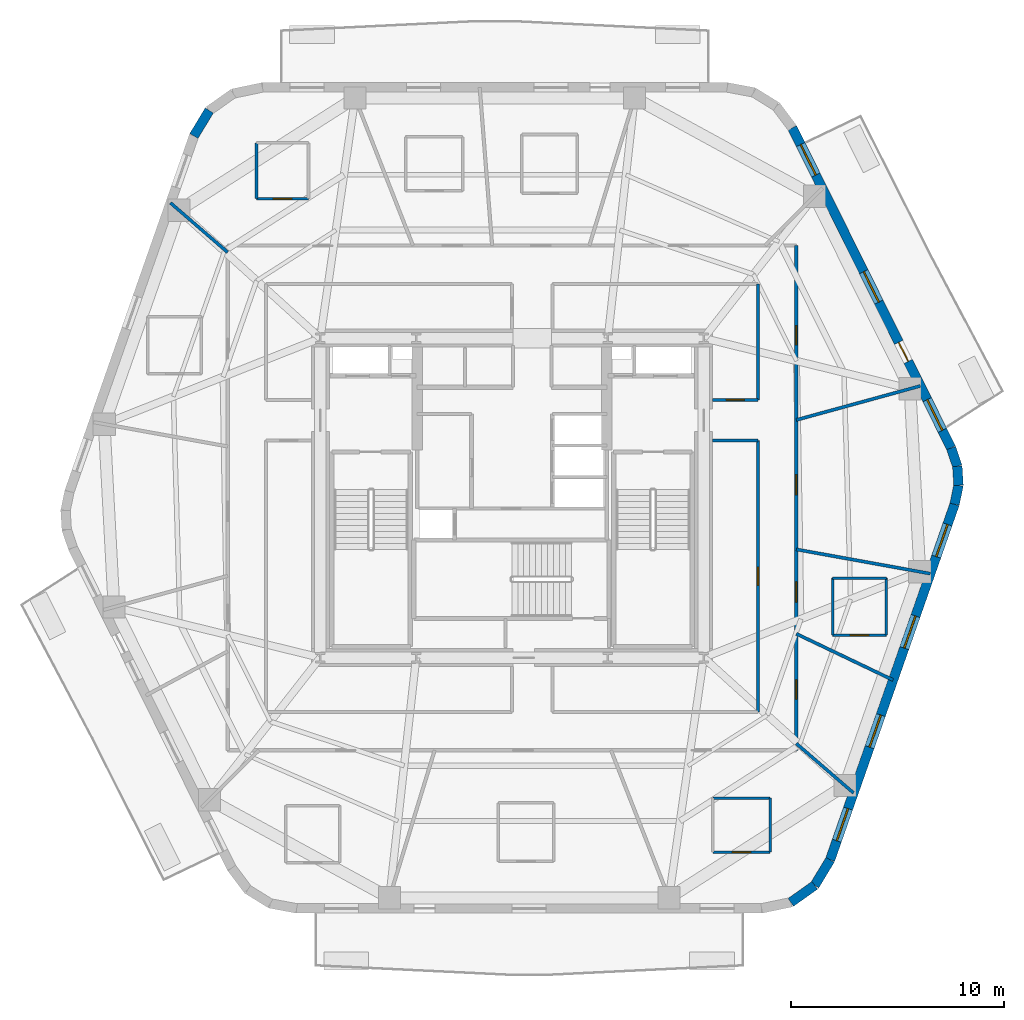
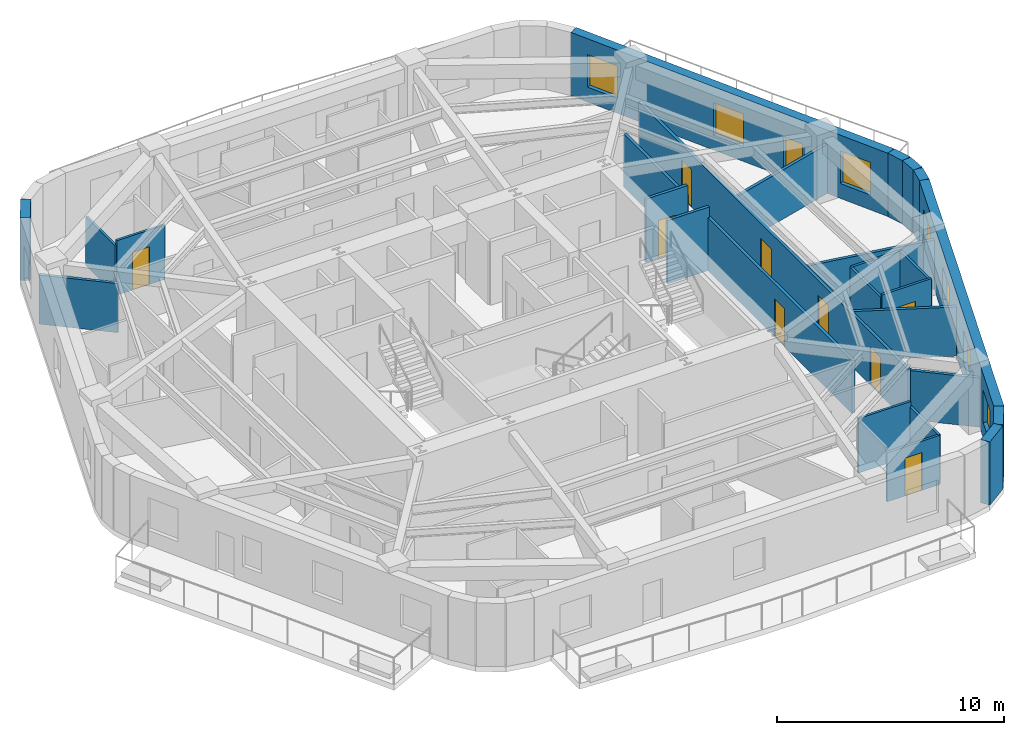
# One storey, part 5 of 10: 27 walls, 10 doors, 7 windows, 17 openings.
"""IFC4 building model written with IfcOpenShell, lengths in metres."""

from ifc_helpers import new_model, si_unit, direction, frame, frame_2d, origin, place, context, subcontext, project, spatial, rectangle, extrude, material, layer, layer_set, type_object, element, fill, save


model = new_model("IFC4")

# Units and contexts
model_context = context("Model", 3, precision=1e-05, world=origin(), true_north=direction((0.0, 1.0)))
body_context = subcontext(model_context, "Body", "Model", "MODEL_VIEW")
ifc_project = project(units=[si_unit("LENGTHUNIT", "METRE"), si_unit("AREAUNIT", "SQUARE_METRE"), si_unit("VOLUMEUNIT", "CUBIC_METRE"), si_unit("PLANEANGLEUNIT", "RADIAN"), si_unit("MASSUNIT", "GRAM", prefix="KILO")], contexts=[model_context])

# Site, building, storey
site_placement = place(None, origin())
site = spatial("IfcSite", under=ifc_project, at=site_placement, CompositionType="ELEMENT")
building_placement = place(site_placement, origin())
building = spatial("IfcBuilding", under=site, at=building_placement, Name="Kilnhurst Terrace Hotel", CompositionType="ELEMENT")
storey_placement = place(building_placement, frame((0.0, 0.0, 155.39990234375)))
storey = spatial("IfcBuildingStorey", under=building, at=storey_placement, Name="L38", CompositionType="ELEMENT", Elevation=155.39990234375)

# Walls
ifc_material_1 = material(Name="Precast concrete C40/50", Category="concrete")
ifc_layer_1 = layer(ifc_material_1, 0.449951171875, Name="Precast concrete C40/50")
ifc_layer_set_1 = layer_set([ifc_layer_1], Name="Precast concrete C40/50")
wall_type_1 = type_object("IfcWallType", Name="WL-BRK-450", PredefinedType="SOLIDWALL", material=ifc_layer_set_1)
wall_1_placement = place(storey_placement, frame((13.091064453125, -18.989013671875, 0.0), z_axis=(0.0, 0.0, 1.0), x_axis=(0.815574637848, 0.578651890258, 0.0)))
element("IfcWall", 1, at=wall_1_placement, inside=storey, type_object=wall_type_1, Name="L38 Rounded Corner Brick Wall C2.2", PredefinedType="SOLIDWALL", context=body_context, shape_type="SweptSolid", body=[
    extrude(rectangle(XDim=1.376708984375, YDim=0.449951171875, at=frame_2d((0.6884765625, 0.0))), origin(), (0.0, 0.0, 1.0), 3.400146484375),
])
wall_2_placement = place(storey_placement, frame((14.2138671875, -18.1923828125, 0.0), z_axis=(0.0, 0.0, 1.0), x_axis=(0.516340945502, 0.856383108193, 0.0)))
element("IfcWall", 2, at=wall_2_placement, inside=storey, type_object=wall_type_1, Name="L38 Rounded Corner Brick Wall C2.3", PredefinedType="SOLIDWALL", context=body_context, shape_type="SweptSolid", body=[
    extrude(rectangle(XDim=1.400146484375, YDim=0.449951171875, at=frame_2d((0.7001953125, 0.0))), origin(), (0.0, 0.0, 1.0), 3.400146484375),
])
wall_3_placement = place(storey_placement, frame((20.78173828125, -0.298095703125, 0.0), z_axis=(0.0, 0.0, 1.0), x_axis=(0.202570068411, 0.979267771033, 0.0)))
element("IfcWall", 3, at=wall_3_placement, inside=storey, type_object=wall_type_1, Name="L38 Rounded Corner Brick Wall C3.1", PredefinedType="SOLIDWALL", context=body_context, shape_type="SweptSolid", body=[
    extrude(rectangle(XDim=0.90869140625, YDim=0.449951171875, at=frame_2d((0.454345703125, 0.0))), origin(), (0.0, 0.0, 1.0), 3.400146484375),
])
wall_4_placement = place(storey_placement, frame((20.9658203125, 0.591796875, 0.0), z_axis=(0.0, 0.0, 1.0), x_axis=(-0.061748898935, 0.998091715966, 0.0)))
element("IfcWall", 4, at=wall_4_placement, inside=storey, type_object=wall_type_1, Name="L38 Rounded Corner Brick Wall C3.2", PredefinedType="SOLIDWALL", context=body_context, shape_type="SweptSolid", body=[
    extrude(rectangle(XDim=0.8935546875, YDim=0.449951171875, at=frame_2d((0.44677734375, 0.0))), origin(), (0.0, 0.0, 1.0), 3.400146484375),
])
wall_5_placement = place(storey_placement, frame((20.91064453125, 1.483642578125, 0.0), z_axis=(0.0, 0.0, 1.0), x_axis=(-0.321623334353, 0.946867694453, 0.0)))
element("IfcWall", 5, at=wall_5_placement, inside=storey, type_object=wall_type_1, Name="L38 Rounded Corner Brick Wall C3.3", PredefinedType="SOLIDWALL", context=body_context, shape_type="SweptSolid", body=[
    extrude(rectangle(XDim=0.90869140625, YDim=0.449951171875, at=frame_2d((0.454345703125, 0.0))), origin(), (0.0, 0.0, 1.0), 3.400146484375),
])
wall_6_placement = place(storey_placement, frame((-14.2138671875, 18.1923828125, 0.0), z_axis=(0.0, 0.0, 1.0), x_axis=(-0.516340945502, -0.856383108193, 0.0)))
element("IfcWall", 6, at=wall_6_placement, inside=storey, type_object=wall_type_1, Name="L38 Rounded Corner Brick Wall C5.3", PredefinedType="SOLIDWALL", context=body_context, shape_type="SweptSolid", body=[
    extrude(rectangle(XDim=1.400146484375, YDim=0.449951171875, at=frame_2d((0.7001953125, 0.0))), origin(), (0.0, 0.0, 1.0), 3.400146484375),
])

# Wall, openings, windows
wall_7_placement = place(storey_placement, frame((14.936767578125, -16.993408203125, 0.0), z_axis=(0.0, 0.0, 1.0), x_axis=(0.330431575061, 0.943829949834, 0.0)))
wall_7 = element("IfcWall", 7, at=wall_7_placement, inside=storey, type_object=wall_type_1, Name="L38 Exterior Brick Facade Wall F2", PredefinedType="SOLIDWALL", context=body_context, shape_type="SweptSolid", body=[
    extrude(rectangle(XDim=17.68896484375, YDim=0.449951171875, at=frame_2d((8.844482421875, 0.0))), origin(), (0.0, 0.0, 1.0), 3.400146484375),
])
opening_1_placement = place(wall_7_placement, frame((0.949951171875, 0.0, 0.800048828125)))
opening_1 = element("IfcOpeningElement", 8, at=opening_1_placement, cuts=wall_7, Name="Opening W-05", PredefinedType="OPENING", context=body_context, shape_type="SweptSolid", body=[
    extrude(rectangle(XDim=1.60009765625, YDim=1.75, at=frame_2d((0.800048828125, 0.875))), frame((0.0, 0.23486328125, 0.0), z_axis=(0.0, -1.0, 0.0), x_axis=(1.0, 0.0, 0.0)), (0.0, 0.0, 1.0), 0.469970703125),
])
opening_2_placement = place(wall_7_placement, frame((5.60498046875, 0.0, 0.800048828125)))
opening_2 = element("IfcOpeningElement", 9, at=opening_2_placement, cuts=wall_7, Name="Opening W-05", PredefinedType="OPENING", context=body_context, shape_type="SweptSolid", body=[
    extrude(rectangle(XDim=1.60009765625, YDim=1.75, at=frame_2d((0.800048828125, 0.875))), frame((0.0, 0.23486328125, 0.0), z_axis=(0.0, -1.0, 0.0), x_axis=(1.0, 0.0, 0.0)), (0.0, 0.0, 1.0), 0.469970703125),
])
opening_3_placement = place(wall_7_placement, frame((10.531005859375, 0.0, 0.800048828125)))
opening_3 = element("IfcOpeningElement", 10, at=opening_3_placement, cuts=wall_7, Name="Opening W-05", PredefinedType="OPENING", context=body_context, shape_type="SweptSolid", body=[
    extrude(rectangle(XDim=1.60009765625, YDim=1.75, at=frame_2d((0.800048828125, 0.875))), frame((0.0, 0.23486328125, 0.0), z_axis=(0.0, -1.0, 0.0), x_axis=(1.0, 0.0, 0.0)), (0.0, 0.0, 1.0), 0.469970703125),
])
opening_4_placement = place(wall_7_placement, frame((15.083984375, 0.0, 0.800048828125)))
opening_4 = element("IfcOpeningElement", 11, at=opening_4_placement, cuts=wall_7, Name="Opening W-05", PredefinedType="OPENING", context=body_context, shape_type="SweptSolid", body=[
    extrude(rectangle(XDim=1.60009765625, YDim=1.75, at=frame_2d((0.800048828125, 0.875))), frame((0.0, 0.23486328125, 0.0), z_axis=(0.0, -1.0, 0.0), x_axis=(1.0, 0.0, 0.0)), (0.0, 0.0, 1.0), 0.469970703125),
])
ifc_material_2 = material(Name="Thermally Broken Bronze Aluminium Alloy 6063-T6 and Low-E Glass", Category="aluminium")
window_type = type_object("IfcWindowType", Name="WIN-1600X1750", PartitioningType="SINGLE_PANEL", PredefinedType="WINDOW", material=ifc_material_2)
window_1_placement = place(opening_1_placement, origin())
window_1 = element("IfcWindow", 12, at=window_1_placement, inside=storey, type_object=window_type, Name="L38 Deep-Set Masonry Window F2.1", OverallHeight=1.75, OverallWidth=1.60009765625, PartitioningType="SINGLE_PANEL", PredefinedType="WINDOW", context=body_context, shape_type="SweptSolid", body=[
    extrude(rectangle(XDim=1.60009765625, YDim=1.75, at=frame_2d((0.800048828125, 0.875))), frame((0.0, 0.030029296875, 0.0), z_axis=(0.0, -1.0, 0.0), x_axis=(1.0, 0.0, 0.0)), (0.0, 0.0, 1.0), 0.06005859375),
])
fill(opening_1, window_1)
window_2_placement = place(opening_2_placement, origin())
window_2 = element("IfcWindow", 13, at=window_2_placement, inside=storey, type_object=window_type, Name="L38 Deep-Set Masonry Window F2.2", OverallHeight=1.75, OverallWidth=1.60009765625, PartitioningType="SINGLE_PANEL", PredefinedType="WINDOW", context=body_context, shape_type="SweptSolid", body=[
    extrude(rectangle(XDim=1.60009765625, YDim=1.75, at=frame_2d((0.800048828125, 0.875))), frame((0.0, 0.030029296875, 0.0), z_axis=(0.0, -1.0, 0.0), x_axis=(1.0, 0.0, 0.0)), (0.0, 0.0, 1.0), 0.06005859375),
])
fill(opening_2, window_2)
window_3_placement = place(opening_3_placement, origin())
window_3 = element("IfcWindow", 14, at=window_3_placement, inside=storey, type_object=window_type, Name="L38 Deep-Set Masonry Window F2.3", OverallHeight=1.75, OverallWidth=1.60009765625, PartitioningType="SINGLE_PANEL", PredefinedType="WINDOW", context=body_context, shape_type="SweptSolid", body=[
    extrude(rectangle(XDim=1.60009765625, YDim=1.75, at=frame_2d((0.800048828125, 0.875))), frame((0.0, 0.030029296875, 0.0), z_axis=(0.0, -1.0, 0.0), x_axis=(1.0, 0.0, 0.0)), (0.0, 0.0, 1.0), 0.06005859375),
])
fill(opening_3, window_3)
window_4_placement = place(opening_4_placement, origin())
window_4 = element("IfcWindow", 15, at=window_4_placement, inside=storey, type_object=window_type, Name="L38 Deep-Set Masonry Window F2.4", OverallHeight=1.75, OverallWidth=1.60009765625, PartitioningType="SINGLE_PANEL", PredefinedType="WINDOW", context=body_context, shape_type="SweptSolid", body=[
    extrude(rectangle(XDim=1.60009765625, YDim=1.75, at=frame_2d((0.800048828125, 0.875))), frame((0.0, 0.030029296875, 0.0), z_axis=(0.0, -1.0, 0.0), x_axis=(1.0, 0.0, 0.0)), (0.0, 0.0, 1.0), 0.06005859375),
])
fill(opening_4, window_4)

# Wall, openings, door, windows
wall_8_placement = place(storey_placement, frame((20.618408203125, 2.343994140625, 0.0), z_axis=(0.0, 0.0, 1.0), x_axis=(-0.444243691097, 0.895905990002, 0.0)))
wall_8 = element("IfcWall", 16, at=wall_8_placement, inside=storey, type_object=wall_type_1, Name="L38 Exterior Brick Facade Wall F3", PredefinedType="SOLIDWALL", context=body_context, shape_type="SweptSolid", body=[
    extrude(rectangle(XDim=16.78369140625, YDim=0.449951171875, at=frame_2d((8.391845703125, 0.0))), origin(), (0.0, 0.0, 1.0), 3.400146484375),
])
opening_5_placement = place(wall_8_placement, frame((4.534912109375, 0.0, 0.0)))
opening_5 = element("IfcOpeningElement", 17, at=opening_5_placement, cuts=wall_8, Name="Opening BD-1000", PredefinedType="OPENING", context=body_context, shape_type="SweptSolid", body=[
    extrude(rectangle(XDim=1.0, YDim=2.14990234375, at=frame_2d((0.5, 1.074951171875))), frame((0.0, 0.23486328125, 0.0), z_axis=(0.0, -1.0, 0.0), x_axis=(1.0, 0.0, 0.0)), (0.0, 0.0, 1.0), 0.469970703125),
])
opening_6_placement = place(wall_8_placement, frame((7.64208984375, 0.0, 0.800048828125)))
opening_6 = element("IfcOpeningElement", 18, at=opening_6_placement, cuts=wall_8, Name="Opening W-05", PredefinedType="OPENING", context=body_context, shape_type="SweptSolid", body=[
    extrude(rectangle(XDim=1.60009765625, YDim=1.75, at=frame_2d((0.800048828125, 0.875))), frame((0.0, 0.23486328125, 0.0), z_axis=(0.0, -1.0, 0.0), x_axis=(1.0, 0.0, 0.0)), (0.0, 0.0, 1.0), 0.469970703125),
])
opening_7_placement = place(wall_8_placement, frame((14.302978515625, 0.0, 0.800048828125)))
opening_7 = element("IfcOpeningElement", 19, at=opening_7_placement, cuts=wall_8, Name="Opening W-05", PredefinedType="OPENING", context=body_context, shape_type="SweptSolid", body=[
    extrude(rectangle(XDim=1.60009765625, YDim=1.75, at=frame_2d((0.800048828125, 0.875))), frame((0.0, 0.23486328125, 0.0), z_axis=(0.0, -1.0, 0.0), x_axis=(1.0, 0.0, 0.0)), (0.0, 0.0, 1.0), 0.469970703125),
])
opening_8_placement = place(wall_8_placement, frame((0.930908203125, 0.0, 0.800048828125)))
opening_8 = element("IfcOpeningElement", 20, at=opening_8_placement, cuts=wall_8, Name="Opening W-05", PredefinedType="OPENING", context=body_context, shape_type="SweptSolid", body=[
    extrude(rectangle(XDim=1.60009765625, YDim=1.75, at=frame_2d((0.800048828125, 0.875))), frame((0.0, 0.23486328125, 0.0), z_axis=(0.0, -1.0, 0.0), x_axis=(1.0, 0.0, 0.0)), (0.0, 0.0, 1.0), 0.469970703125),
])
ifc_material_3 = material(Name="Thermally Broken Bronze Aluminium Alloy 6063-T6 and Laminated Glass", Category="aluminium")
door_type_1 = type_object("IfcDoorType", Name="DR-EXT-BAL-1000", OperationType="NOTDEFINED", PredefinedType="DOOR", material=ifc_material_3)
door_1_placement = place(opening_5_placement, origin())
door_1 = element("IfcDoor", 21, at=door_1_placement, inside=storey, type_object=door_type_1, Name="L38 Planted Balcony Door BAL-L1A", OperationType="SINGLE_SWING_LEFT", OverallHeight=2.14990234375, OverallWidth=1.0, PredefinedType="DOOR", context=body_context, shape_type="SweptSolid", body=[
    extrude(rectangle(XDim=1.0, YDim=2.14990234375, at=frame_2d((0.5, 1.074951171875))), frame((0.0, 0.02490234375, 0.0), z_axis=(0.0, -1.0, 0.0), x_axis=(1.0, 0.0, 0.0)), (0.0, 0.0, 1.0), 0.050048828125),
])
fill(opening_5, door_1)
window_5_placement = place(opening_6_placement, origin())
window_5 = element("IfcWindow", 22, at=window_5_placement, inside=storey, type_object=window_type, Name="L38 Deep-Set Masonry Window F3.1", OverallHeight=1.75, OverallWidth=1.60009765625, PartitioningType="SINGLE_PANEL", PredefinedType="WINDOW", context=body_context, shape_type="SweptSolid", body=[
    extrude(rectangle(XDim=1.60009765625, YDim=1.75, at=frame_2d((0.800048828125, 0.875))), frame((0.0, 0.030029296875, 0.0), z_axis=(0.0, -1.0, 0.0), x_axis=(1.0, 0.0, 0.0)), (0.0, 0.0, 1.0), 0.06005859375),
])
fill(opening_6, window_5)
window_6_placement = place(opening_7_placement, origin())
window_6 = element("IfcWindow", 23, at=window_6_placement, inside=storey, type_object=window_type, Name="L38 Deep-Set Masonry Window F3.2", OverallHeight=1.75, OverallWidth=1.60009765625, PartitioningType="SINGLE_PANEL", PredefinedType="WINDOW", context=body_context, shape_type="SweptSolid", body=[
    extrude(rectangle(XDim=1.60009765625, YDim=1.75, at=frame_2d((0.800048828125, 0.875))), frame((0.0, 0.030029296875, 0.0), z_axis=(0.0, -1.0, 0.0), x_axis=(1.0, 0.0, 0.0)), (0.0, 0.0, 1.0), 0.06005859375),
])
fill(opening_7, window_6)
window_7_placement = place(opening_8_placement, origin())
window_7 = element("IfcWindow", 24, at=window_7_placement, inside=storey, type_object=window_type, Name="L38 Deep-Set Masonry Window F3.3", OverallHeight=1.75, OverallWidth=1.60009765625, PartitioningType="SINGLE_PANEL", PredefinedType="WINDOW", context=body_context, shape_type="SweptSolid", body=[
    extrude(rectangle(XDim=1.60009765625, YDim=1.75, at=frame_2d((0.800048828125, 0.875))), frame((0.0, 0.030029296875, 0.0), z_axis=(0.0, -1.0, 0.0), x_axis=(1.0, 0.0, 0.0)), (0.0, 0.0, 1.0), 0.06005859375),
])
fill(opening_8, window_7)

# Wall, openings, doors
ifc_material_4 = material(Name="Acoustic Double-Gypsum Corridor Partition Assembly")
ifc_layer_2 = layer(ifc_material_4, 0.14990234375, Name="Acoustic Double-Gypsum Corridor Partition Assembly")
ifc_layer_set_2 = layer_set([ifc_layer_2], Name="Acoustic Double-Gypsum Corridor Partition Assembly")
wall_type_2 = type_object("IfcWallType", Name="WL-COR-150", PredefinedType="PARTITIONING", material=ifc_layer_set_2)
wall_9_placement = place(storey_placement, frame((13.35009765625, 11.85009765625, 0.0), z_axis=(0.0, 0.0, 1.0), x_axis=(0.0, -1.0, 0.0)))
wall_9 = element("IfcWall", 25, at=wall_9_placement, inside=storey, type_object=wall_type_2, Name="L38 Interior Wall WL-L38-COR-04", PredefinedType="PARTITIONING", context=body_context, shape_type="SweptSolid", body=[
    extrude(rectangle(XDim=23.7001953125, YDim=0.14990234375, at=frame_2d((11.85009765625, 0.0))), origin(), (0.0, 0.0, 1.0), 2.840087890625),
])
opening_9_placement = place(wall_9_placement, frame((3.764892578125, 0.0, 0.0)))
opening_9 = element("IfcOpeningElement", 26, at=opening_9_placement, cuts=wall_9, Name="Opening D-60C", PredefinedType="OPENING", context=body_context, shape_type="SweptSolid", body=[
    extrude(rectangle(XDim=0.89990234375, YDim=2.030029296875, at=frame_2d((0.449951171875, 1.01513671875))), frame((0.0, 0.0849609375, 0.0), z_axis=(0.0, -1.0, 0.0), x_axis=(1.0, 0.0, 0.0)), (0.0, 0.0, 1.0), 0.169921875),
])
opening_10_placement = place(wall_9_placement, frame((20.39501953125, 0.0, 0.0)))
opening_10 = element("IfcOpeningElement", 27, at=opening_10_placement, cuts=wall_9, Name="Opening D-60C", PredefinedType="OPENING", context=body_context, shape_type="SweptSolid", body=[
    extrude(rectangle(XDim=0.89990234375, YDim=2.030029296875, at=frame_2d((0.449951171875, 1.01513671875))), frame((0.0, 0.0849609375, 0.0), z_axis=(0.0, -1.0, 0.0), x_axis=(1.0, 0.0, 0.0)), (0.0, 0.0, 1.0), 0.169921875),
])
opening_11_placement = place(wall_9_placement, frame((15.787109375, 0.0, 0.0)))
opening_11 = element("IfcOpeningElement", 28, at=opening_11_placement, cuts=wall_9, Name="Opening D-60B", PredefinedType="OPENING", context=body_context, shape_type="SweptSolid", body=[
    extrude(rectangle(XDim=0.949951171875, YDim=2.030029296875, at=frame_2d((0.47509765625, 1.01513671875))), frame((0.0, 0.0849609375, 0.0), z_axis=(0.0, -1.0, 0.0), x_axis=(1.0, 0.0, 0.0)), (0.0, 0.0, 1.0), 0.169921875),
])
opening_12_placement = place(wall_9_placement, frame((10.7509765625, 0.0, 0.0)))
opening_12 = element("IfcOpeningElement", 29, at=opening_12_placement, cuts=wall_9, Name="Opening D-60B", PredefinedType="OPENING", context=body_context, shape_type="SweptSolid", body=[
    extrude(rectangle(XDim=0.949951171875, YDim=2.030029296875, at=frame_2d((0.47509765625, 1.01513671875))), frame((0.0, 0.0849609375, 0.0), z_axis=(0.0, -1.0, 0.0), x_axis=(1.0, 0.0, 0.0)), (0.0, 0.0, 1.0), 0.169921875),
])
ifc_material_5 = material(Name="Painted Solid-Core Service Fire Door")
door_type_2 = type_object("IfcDoorType", Name="DR-FD60-900", OperationType="NOTDEFINED", PredefinedType="DOOR", material=ifc_material_5)
door_2_placement = place(opening_9_placement, origin())
door_2 = element("IfcDoor", 30, at=door_2_placement, inside=storey, type_object=door_type_2, Name="L38 Private Study Salon Door 1", OperationType="SINGLE_SWING_LEFT", OverallHeight=2.030029296875, OverallWidth=0.89990234375, PredefinedType="DOOR", context=body_context, shape_type="SweptSolid", body=[
    extrude(rectangle(XDim=0.89990234375, YDim=2.030029296875, at=frame_2d((0.449951171875, 1.01513671875))), frame((0.0, 0.02490234375, 0.0), z_axis=(0.0, -1.0, 0.0), x_axis=(1.0, 0.0, 0.0)), (0.0, 0.0, 1.0), 0.050048828125),
])
fill(opening_9, door_2)
door_3_placement = place(opening_10_placement, origin())
door_3 = element("IfcDoor", 31, at=door_3_placement, inside=storey, type_object=door_type_2, Name="L38 Private Meeting Salon Door 13", OperationType="SINGLE_SWING_LEFT", OverallHeight=2.030029296875, OverallWidth=0.89990234375, PredefinedType="DOOR", context=body_context, shape_type="SweptSolid", body=[
    extrude(rectangle(XDim=0.89990234375, YDim=2.030029296875, at=frame_2d((0.449951171875, 1.01513671875))), frame((0.0, 0.02490234375, 0.0), z_axis=(0.0, -1.0, 0.0), x_axis=(1.0, 0.0, 0.0)), (0.0, 0.0, 1.0), 0.050048828125),
])
fill(opening_10, door_3)
ifc_material_6 = material(Name="Acoustic Walnut Veneer Solid-Core Fire Door")
door_type_3 = type_object("IfcDoorType", Name="DR-FD60-950", OperationType="NOTDEFINED", PredefinedType="DOOR", material=ifc_material_6)
door_4_placement = place(opening_11_placement, origin())
door_4 = element("IfcDoor", 32, at=door_4_placement, inside=storey, type_object=door_type_3, Name="L38 Guest Room Entry Door 14", OperationType="SINGLE_SWING_RIGHT", OverallHeight=2.030029296875, OverallWidth=0.949951171875, PredefinedType="DOOR", context=body_context, shape_type="SweptSolid", body=[
    extrude(rectangle(XDim=0.949951171875, YDim=2.030029296875, at=frame_2d((0.47509765625, 1.01513671875))), frame((0.0, 0.02490234375, 0.0), z_axis=(0.0, -1.0, 0.0), x_axis=(1.0, 0.0, 0.0)), (0.0, 0.0, 1.0), 0.050048828125),
])
fill(opening_11, door_4)
door_5_placement = place(opening_12_placement, origin())
door_5 = element("IfcDoor", 33, at=door_5_placement, inside=storey, type_object=door_type_3, Name="L38 Private Study Door", OperationType="SINGLE_SWING_LEFT", OverallHeight=2.030029296875, OverallWidth=0.949951171875, PredefinedType="DOOR", context=body_context, shape_type="SweptSolid", body=[
    extrude(rectangle(XDim=0.949951171875, YDim=2.030029296875, at=frame_2d((0.47509765625, 1.01513671875))), frame((0.0, 0.02490234375, 0.0), z_axis=(0.0, -1.0, 0.0), x_axis=(1.0, 0.0, 0.0)), (0.0, 0.0, 1.0), 0.050048828125),
])
fill(opening_12, door_5)

# Wall, opening, door
wall_10_placement = place(storey_placement, frame((11.550048828125, -10.050048828125, 0.0), z_axis=(0.0, 0.0, 1.0), x_axis=(0.0, 1.0, 0.0)))
wall_10 = element("IfcWall", 34, at=wall_10_placement, inside=storey, type_object=wall_type_2, Name="L38 Interior Wall WL-L38-COR-05", PredefinedType="PARTITIONING", context=body_context, shape_type="SweptSolid", body=[
    extrude(rectangle(XDim=12.75, YDim=0.14990234375, at=frame_2d((6.375, 0.0))), origin(), (0.0, 0.0, 1.0), 2.840087890625),
])
opening_13_placement = place(wall_10_placement, frame((5.949951171875, 0.0, 0.0)))
opening_13 = element("IfcOpeningElement", 35, at=opening_13_placement, cuts=wall_10, Name="Opening D-60D", PredefinedType="OPENING", context=body_context, shape_type="SweptSolid", body=[
    extrude(rectangle(XDim=0.85009765625, YDim=2.030029296875, at=frame_2d((0.425048828125, 1.01513671875))), frame((0.0, 0.0849609375, 0.0), z_axis=(0.0, -1.0, 0.0), x_axis=(1.0, 0.0, 0.0)), (0.0, 0.0, 1.0), 0.169921875),
])
ifc_material_7 = material(Name="Painted Hollow Metal Steel ASTM A36 Riser Door", Category="steel")
door_type_4 = type_object("IfcDoorType", Name="DR-FD60-850", OperationType="NOTDEFINED", PredefinedType="DOOR", material=ifc_material_7)
door_6_placement = place(opening_13_placement, origin())
door_6 = element("IfcDoor", 36, at=door_6_placement, inside=storey, type_object=door_type_4, Name="L38 Floor Electrical Switch Room Door", OperationType="SINGLE_SWING_RIGHT", OverallHeight=2.030029296875, OverallWidth=0.85009765625, PredefinedType="DOOR", context=body_context, shape_type="SweptSolid", body=[
    extrude(rectangle(XDim=0.85009765625, YDim=2.030029296875, at=frame_2d((0.425048828125, 1.01513671875))), frame((0.0, 0.02490234375, 0.0), z_axis=(0.0, -1.0, 0.0), x_axis=(1.0, 0.0, 0.0)), (0.0, 0.0, 1.0), 0.050048828125),
])
fill(opening_13, door_6)

# Wall
wall_11_placement = place(storey_placement, frame((11.550048828125, 2.699951171875, 0.0), z_axis=(0.0, 0.0, 1.0), x_axis=(-1.0, 0.0, 0.0)))
element("IfcWall", 37, at=wall_11_placement, inside=storey, type_object=wall_type_2, Name="L38 Interior Wall WL-L38-COR-06", PredefinedType="PARTITIONING", context=body_context, shape_type="SweptSolid", body=[
    extrude(rectangle(XDim=2.125, YDim=0.14990234375, at=frame_2d((1.0625, 0.0))), origin(), (0.0, 0.0, 1.0), 3.400146484375),
])

# Wall, opening, door
wall_12_placement = place(storey_placement, frame((9.425048828125, 4.60009765625, 0.0), z_axis=(0.0, 0.0, 1.0), x_axis=(1.0, 0.0, 0.0)))
wall_12 = element("IfcWall", 38, at=wall_12_placement, inside=storey, type_object=wall_type_2, Name="L38 Interior Wall WL-L38-COR-07", PredefinedType="PARTITIONING", context=body_context, shape_type="SweptSolid", body=[
    extrude(rectangle(XDim=2.125, YDim=0.14990234375, at=frame_2d((1.0625, 0.0))), origin(), (0.0, 0.0, 1.0), 3.400146484375),
])
opening_14_placement = place(wall_12_placement, frame((0.636962890625, 0.0, 0.0)))
opening_14 = element("IfcOpeningElement", 39, at=opening_14_placement, cuts=wall_12, Name="Opening D-60D", PredefinedType="OPENING", context=body_context, shape_type="SweptSolid", body=[
    extrude(rectangle(XDim=0.85009765625, YDim=2.030029296875, at=frame_2d((0.425048828125, 1.01513671875))), frame((0.0, 0.0849609375, 0.0), z_axis=(0.0, -1.0, 0.0), x_axis=(1.0, 0.0, 0.0)), (0.0, 0.0, 1.0), 0.169921875),
])
door_7_placement = place(opening_14_placement, origin())
door_7 = element("IfcDoor", 40, at=door_7_placement, inside=storey, type_object=door_type_4, Name="L38 Floor Beverage Service Room Door", OperationType="SINGLE_SWING_LEFT", OverallHeight=2.030029296875, OverallWidth=0.85009765625, PredefinedType="DOOR", context=body_context, shape_type="SweptSolid", body=[
    extrude(rectangle(XDim=0.85009765625, YDim=2.030029296875, at=frame_2d((0.425048828125, 1.01513671875))), frame((0.0, 0.02490234375, 0.0), z_axis=(0.0, -1.0, 0.0), x_axis=(1.0, 0.0, 0.0)), (0.0, 0.0, 1.0), 0.050048828125),
])
fill(opening_14, door_7)

# Walls
wall_13_placement = place(storey_placement, frame((11.550048828125, 4.60009765625, 0.0), z_axis=(0.0, 0.0, 1.0), x_axis=(0.0, 1.0, 0.0)))
element("IfcWall", 41, at=wall_13_placement, inside=storey, type_object=wall_type_2, Name="L38 Interior Wall WL-L38-COR-08", PredefinedType="PARTITIONING", context=body_context, shape_type="SweptSolid", body=[
    extrude(rectangle(XDim=5.449951171875, YDim=0.14990234375, at=frame_2d((2.72509765625, 0.0))), origin(), (0.0, 0.0, 1.0), 2.840087890625),
])
ifc_material_8 = material(Name="STC-58 Acoustic Twin-Frame Guestroom Demising Partition")
ifc_layer_3 = layer(ifc_material_8, 0.14990234375, Name="STC-58 Acoustic Twin-Frame Guestroom Demising Partition")
ifc_layer_set_3 = layer_set([ifc_layer_3], Name="STC-58 Acoustic Twin-Frame Guestroom Demising Partition")
wall_type_3 = type_object("IfcWallType", Name="WL-DEM-150", PredefinedType="PARTITIONING", material=ifc_layer_set_3)
wall_14_placement = place(storey_placement, frame((13.35009765625, 3.66064453125, 0.0), z_axis=(0.0, 0.0, 1.0), x_axis=(0.964397145454, 0.264458211898, 0.0)))
element("IfcWall", 42, at=wall_14_placement, inside=storey, type_object=wall_type_3, Name="L38 Interior Wall WL-L38-DEM-COL01-01-1", PredefinedType="PARTITIONING", context=body_context, shape_type="SweptSolid", body=[
    extrude(rectangle(XDim=6.03857421875, YDim=0.14990234375, at=frame_2d((3.019287109375, 0.0))), origin(), (0.0, 0.0, 1.0), 2.64013671875),
])
for number, where, z_axis, x_axis, name in (
    (43, (-13.35009765625, 11.53271484375, 0.0), (0.0, 0.0, 1.0), (-0.756711647314, 0.65374879183, 0.0), "L38 Interior Wall WL-L38-DEM-COL05-06-1"),
    (44, (13.35009765625, -11.53271484375, 0.0), (0.0, 0.0, 1.0), (0.756711647314, -0.65374879183, 0.0), "L38 Interior Wall WL-L38-DEM-COL11-13-1"),
):
    element("IfcWall", number, at=place(storey_placement, frame(where, z_axis=z_axis, x_axis=x_axis)), inside=storey, type_object=wall_type_3, Name=name, PredefinedType="PARTITIONING", context=body_context, shape_type="SweptSolid", body=[
        extrude(rectangle(XDim=3.549560546875, YDim=0.14990234375, at=frame_2d((1.77490234375, 0.0))), origin(), (0.0, 0.0, 1.0), 2.64013671875),
    ])
wall_15_placement = place(storey_placement, frame((13.35009765625, -6.3798828125, 0.0), z_axis=(0.0, 0.0, 1.0), x_axis=(0.90225728206, -0.431198094812, 0.0)))
element("IfcWall", 45, at=wall_15_placement, inside=storey, type_object=wall_type_3, Name="L38 Interior Wall WL-L38-DEM-MID11-14-1", PredefinedType="PARTITIONING", context=body_context, shape_type="SweptSolid", body=[
    extrude(rectangle(XDim=5.03466796875, YDim=0.14990234375, at=frame_2d((2.517333984375, 0.0))), origin(), (0.0, 0.0, 1.0), 2.64013671875),
])
wall_16_placement = place(storey_placement, frame((13.35009765625, -2.417236328125, 0.0), z_axis=(0.0, 0.0, 1.0), x_axis=(0.98399796473, -0.178179699761, 0.0)))
element("IfcWall", 46, at=wall_16_placement, inside=storey, type_object=wall_type_3, Name="L38 Interior Wall WL-L38-DEM-COL12-15-1", PredefinedType="PARTITIONING", context=body_context, shape_type="SweptSolid", body=[
    extrude(rectangle(XDim=6.393310546875, YDim=0.14990234375, at=frame_2d((3.19677734375, 0.0))), origin(), (0.0, 0.0, 1.0), 2.64013671875),
])

# Wall, opening, door
ifc_material_9 = material(Name="120 mm Moisture-Resistant Tile-Backed Bathroom Partition")
ifc_layer_4 = layer(ifc_material_9, 0.1201171875, Name="120 mm Moisture-Resistant Tile-Backed Bathroom Partition")
ifc_layer_set_4 = layer_set([ifc_layer_4], Name="120 mm Moisture-Resistant Tile-Backed Bathroom Partition")
wall_type_4 = type_object("IfcWallType", Name="WL-PART-120", PredefinedType="PARTITIONING", material=ifc_layer_set_4)
wall_17_placement = place(storey_placement, frame((-11.99609375, 14.056884765625, 0.0), z_axis=(0.0, 0.0, 1.0), x_axis=(1.0, 0.0, 0.0)))
wall_17 = element("IfcWall", 47, at=wall_17_placement, inside=storey, type_object=wall_type_4, Name="L38 Interior Wall WL-L38-BTH-05-1", PredefinedType="PARTITIONING", context=body_context, shape_type="SweptSolid", body=[
    extrude(rectangle(XDim=2.440185546875, YDim=0.1201171875, at=frame_2d((1.22021484375, 0.0))), origin(), (0.0, 0.0, 1.0), 2.926513671875),
])
opening_15_placement = place(wall_17_placement, frame((0.794921875, 0.0, 0.0)))
opening_15 = element("IfcOpeningElement", 48, at=opening_15_placement, cuts=wall_17, Name="Opening D-08A", PredefinedType="OPENING", context=body_context, shape_type="SweptSolid", body=[
    extrude(rectangle(XDim=0.85009765625, YDim=2.030029296875, at=frame_2d((0.425048828125, 1.01513671875))), frame((0.0, 0.070068359375, 0.0), z_axis=(0.0, -1.0, 0.0), x_axis=(1.0, 0.0, 0.0)), (0.0, 0.0, 1.0), 0.14013671875),
])
ifc_material_10 = material(Name="Moisture-Resistant Lacquered En-suite Bathroom Door")
door_type_5 = type_object("IfcDoorType", Name="DR-INT-850", OperationType="NOTDEFINED", PredefinedType="DOOR", material=ifc_material_10)
door_8_placement = place(opening_15_placement, origin())
door_8 = element("IfcDoor", 49, at=door_8_placement, inside=storey, type_object=door_type_5, Name="L38 En-suite Bathroom Door 5", OperationType="SINGLE_SWING_RIGHT", OverallHeight=2.030029296875, OverallWidth=0.85009765625, PredefinedType="DOOR", context=body_context, shape_type="SweptSolid", body=[
    extrude(rectangle(XDim=0.85009765625, YDim=2.030029296875, at=frame_2d((0.425048828125, 1.01513671875))), frame((0.0, 0.02490234375, 0.0), z_axis=(0.0, -1.0, 0.0), x_axis=(1.0, 0.0, 0.0)), (0.0, 0.0, 1.0), 0.050048828125),
])
fill(opening_15, door_8)

# Wall
wall_18_placement = place(storey_placement, frame((-11.99609375, 16.6669921875, 0.0), z_axis=(0.0, 0.0, 1.0), x_axis=(0.0, -1.0, 0.0)))
element("IfcWall", 50, at=wall_18_placement, inside=storey, type_object=wall_type_4, Name="L38 Interior Wall WL-L38-BTH-05-4", PredefinedType="PARTITIONING", context=body_context, shape_type="SweptSolid", body=[
    extrude(rectangle(XDim=2.610107421875, YDim=0.1201171875, at=frame_2d((1.30517578125, 0.0))), origin(), (0.0, 0.0, 1.0), 2.64013671875),
])

# Wall, opening, door
wall_19_placement = place(storey_placement, frame((9.43603515625, -16.632080078125, 0.0), z_axis=(0.0, 0.0, 1.0), x_axis=(1.0, 0.0, 0.0)))
wall_19 = element("IfcWall", 51, at=wall_19_placement, inside=storey, type_object=wall_type_4, Name="L38 Interior Wall WL-L38-BTH-12-1", PredefinedType="PARTITIONING", context=body_context, shape_type="SweptSolid", body=[
    extrude(rectangle(XDim=2.679931640625, YDim=0.1201171875, at=frame_2d((1.33984375, 0.0))), origin(), (0.0, 0.0, 1.0), 2.64013671875),
])
opening_16_placement = place(wall_19_placement, frame((0.9150390625, 0.0, 0.0)))
opening_16 = element("IfcOpeningElement", 52, at=opening_16_placement, cuts=wall_19, Name="Opening D-08A", PredefinedType="OPENING", context=body_context, shape_type="SweptSolid", body=[
    extrude(rectangle(XDim=0.85009765625, YDim=2.030029296875, at=frame_2d((0.425048828125, 1.01513671875))), frame((0.0, 0.070068359375, 0.0), z_axis=(0.0, -1.0, 0.0), x_axis=(1.0, 0.0, 0.0)), (0.0, 0.0, 1.0), 0.14013671875),
])
door_9_placement = place(opening_16_placement, origin())
door_9 = element("IfcDoor", 53, at=door_9_placement, inside=storey, type_object=door_type_5, Name="L38 En-suite Bathroom Door 12", OperationType="SINGLE_SWING_LEFT", OverallHeight=2.030029296875, OverallWidth=0.85009765625, PredefinedType="DOOR", context=body_context, shape_type="SweptSolid", body=[
    extrude(rectangle(XDim=0.85009765625, YDim=2.030029296875, at=frame_2d((0.425048828125, 1.01513671875))), frame((0.0, 0.02490234375, 0.0), z_axis=(0.0, -1.0, 0.0), x_axis=(1.0, 0.0, 0.0)), (0.0, 0.0, 1.0), 0.050048828125),
])
fill(opening_16, door_9)

# Walls
wall_20_placement = place(storey_placement, frame((12.115966796875, -16.632080078125, 0.0), z_axis=(0.0, 0.0, 1.0), x_axis=(0.0, 1.0, 0.0)))
element("IfcWall", 54, at=wall_20_placement, inside=storey, type_object=wall_type_4, Name="L38 Interior Wall WL-L38-BTH-12-2", PredefinedType="PARTITIONING", context=body_context, shape_type="SweptSolid", body=[
    extrude(rectangle(XDim=2.5400390625, YDim=0.1201171875, at=frame_2d((1.27001953125, 0.0))), origin(), (0.0, 0.0, 1.0), 2.64013671875),
])
wall_21_placement = place(storey_placement, frame((12.115966796875, -14.092041015625, 0.0), z_axis=(0.0, 0.0, 1.0), x_axis=(-1.0, 0.0, 0.0)))
element("IfcWall", 55, at=wall_21_placement, inside=storey, type_object=wall_type_4, Name="L38 Interior Wall WL-L38-BTH-12-3", PredefinedType="PARTITIONING", context=body_context, shape_type="SweptSolid", body=[
    extrude(rectangle(XDim=2.679931640625, YDim=0.1201171875, at=frame_2d((1.33984375, 0.0))), origin(), (0.0, 0.0, 1.0), 2.926513671875),
])

# Wall, opening, door
wall_22_placement = place(storey_placement, frame((15.05810546875, -6.444091796875, 0.0), z_axis=(0.0, 0.0, 1.0), x_axis=(1.0, 0.0, 0.0)))
wall_22 = element("IfcWall", 56, at=wall_22_placement, inside=storey, type_object=wall_type_4, Name="L38 Interior Wall WL-L38-BTH-14-1", PredefinedType="PARTITIONING", context=body_context, shape_type="SweptSolid", body=[
    extrude(rectangle(XDim=2.519775390625, YDim=0.1201171875, at=frame_2d((1.259765625, 0.0))), origin(), (0.0, 0.0, 1.0), 2.972412109375),
])
opening_17_placement = place(wall_22_placement, frame((0.8349609375, 0.0, 0.0)))
opening_17 = element("IfcOpeningElement", 57, at=opening_17_placement, cuts=wall_22, Name="Opening D-08A", PredefinedType="OPENING", context=body_context, shape_type="SweptSolid", body=[
    extrude(rectangle(XDim=0.85009765625, YDim=2.030029296875, at=frame_2d((0.425048828125, 1.01513671875))), frame((0.0, 0.070068359375, 0.0), z_axis=(0.0, -1.0, 0.0), x_axis=(1.0, 0.0, 0.0)), (0.0, 0.0, 1.0), 0.14013671875),
])
door_10_placement = place(opening_17_placement, origin())
door_10 = element("IfcDoor", 58, at=door_10_placement, inside=storey, type_object=door_type_5, Name="L38 En-suite Bathroom Door 14", OperationType="SINGLE_SWING_LEFT", OverallHeight=2.030029296875, OverallWidth=0.85009765625, PredefinedType="DOOR", context=body_context, shape_type="SweptSolid", body=[
    extrude(rectangle(XDim=0.85009765625, YDim=2.030029296875, at=frame_2d((0.425048828125, 1.01513671875))), frame((0.0, 0.02490234375, 0.0), z_axis=(0.0, -1.0, 0.0), x_axis=(1.0, 0.0, 0.0)), (0.0, 0.0, 1.0), 0.050048828125),
])
fill(opening_17, door_10)

# Walls
wall_23_placement = place(storey_placement, frame((17.577880859375, -6.444091796875, 0.0), z_axis=(0.0, 0.0, 1.0), x_axis=(0.0, 1.0, 0.0)))
element("IfcWall", 59, at=wall_23_placement, inside=storey, type_object=wall_type_4, Name="L38 Interior Wall WL-L38-BTH-14-2", PredefinedType="PARTITIONING", context=body_context, shape_type="SweptSolid", body=[
    extrude(rectangle(XDim=2.68017578125, YDim=0.1201171875, at=frame_2d((1.340087890625, 0.0))), origin(), (0.0, 0.0, 1.0), 2.840087890625),
])
wall_24_placement = place(storey_placement, frame((17.577880859375, -3.763916015625, 0.0), z_axis=(0.0, 0.0, 1.0), x_axis=(-1.0, 0.0, 0.0)))
element("IfcWall", 60, at=wall_24_placement, inside=storey, type_object=wall_type_4, Name="L38 Interior Wall WL-L38-BTH-14-3", PredefinedType="PARTITIONING", context=body_context, shape_type="SweptSolid", body=[
    extrude(rectangle(XDim=2.519775390625, YDim=0.1201171875, at=frame_2d((1.259765625, 0.0))), origin(), (0.0, 0.0, 1.0), 2.840576171875),
])
wall_25_placement = place(storey_placement, frame((15.05810546875, -3.763916015625, 0.0), z_axis=(0.0, 0.0, 1.0), x_axis=(0.0, -1.0, 0.0)))
element("IfcWall", 61, at=wall_25_placement, inside=storey, type_object=wall_type_4, Name="L38 Interior Wall WL-L38-BTH-14-4", PredefinedType="PARTITIONING", context=body_context, shape_type="SweptSolid", body=[
    extrude(rectangle(XDim=2.68017578125, YDim=0.1201171875, at=frame_2d((1.340087890625, 0.0))), origin(), (0.0, 0.0, 1.0), 2.840087890625),
])

save(model, "model.ifc")
